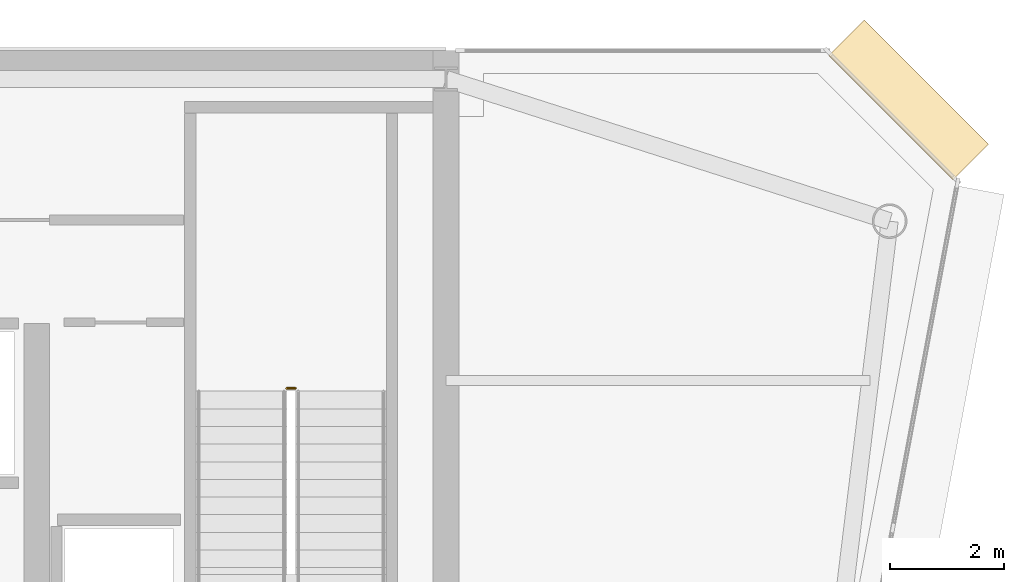
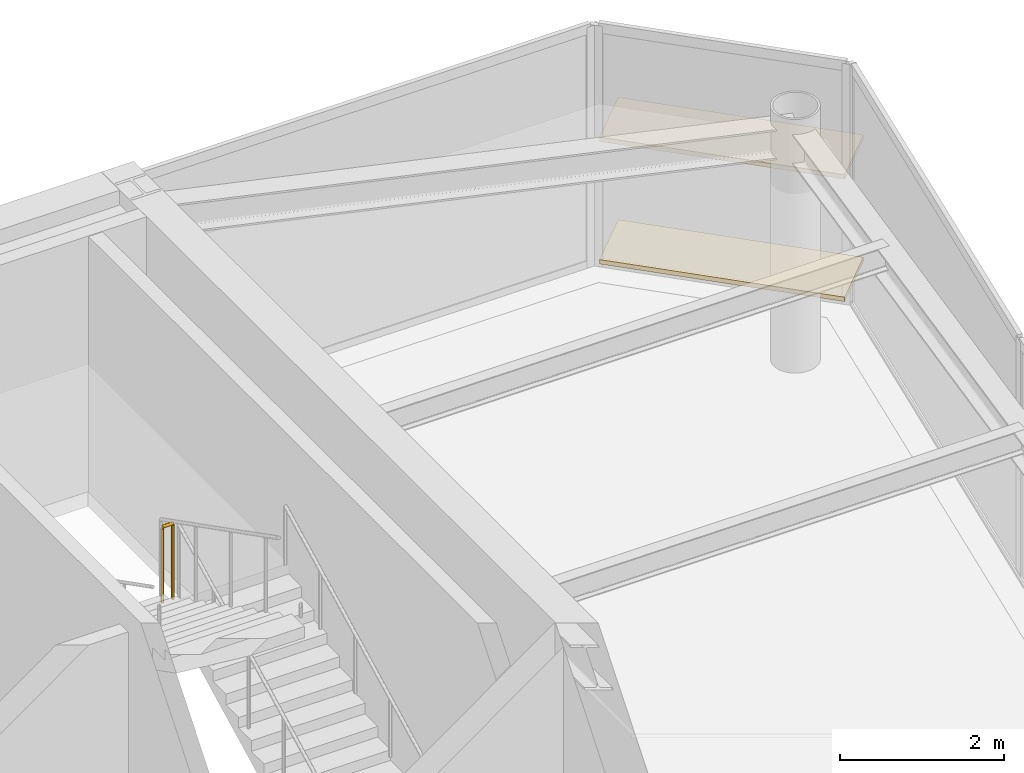
# One storey, part 20 of 20: 2 coverings, 1 railing.
"""IFC4 building model written with IfcOpenShell, lengths in metres."""

from ifc_helpers import new_model, si_unit, direction, frame, origin, origin_2d, place, context, subcontext, project, spatial, rectangle, circle, extrude, source, transform, mapped, material, layer, layer_set, type_object, element, save


model = new_model("IFC4")

# Units and contexts
model_context = context("Model", 3, precision=1e-05, world=origin(), true_north=direction((0.0, 1.0)))
body_context = subcontext(model_context, "Body", "Model", "MODEL_VIEW")
ifc_project = project(units=[si_unit("LENGTHUNIT", "METRE"), si_unit("AREAUNIT", "SQUARE_METRE"), si_unit("VOLUMEUNIT", "CUBIC_METRE"), si_unit("PLANEANGLEUNIT", "RADIAN"), si_unit("MASSUNIT", "GRAM", prefix="KILO")], contexts=[model_context])

# Site, building, storey
site_placement = place(None, origin())
site = spatial("IfcSite", under=ifc_project, at=site_placement, CompositionType="ELEMENT")
building_placement = place(site_placement, origin())
building = spatial("IfcBuilding", under=site, at=building_placement, Name="Vaeldorn Concourse Tower", CompositionType="ELEMENT")
storey_placement = place(building_placement, frame((0.0, 0.0, 295.39990234375)))
storey = spatial("IfcBuildingStorey", under=building, at=storey_placement, Name="L76", CompositionType="ELEMENT", Elevation=295.39990234375)

# Railing
ifc_material = material(Name="Anodised Bronze Aluminium", Category="aluminium")
railing_type = type_object("IfcRailingType", Name="RL-STAIR-GUARD", PredefinedType="GUARDRAIL", material=ifc_material)
railing_placement = place(storey_placement, frame((51.35009765625, 45.06005859375, 1.900146484375)))
element("IfcRailing", 1, at=railing_placement, inside=storey, type_object=railing_type, Name="L76 ST-2 stair guard 2", PredefinedType="GUARDRAIL", context=body_context, shape_type="SweptSolid", body=[
    extrude(circle(Radius=0.02392578125, at=origin_2d()), frame((0.0, 0.0, 1.1259765625), z_axis=(-1.0, 0.0, 0.0), x_axis=(0.0, -1.0, 0.0)), (0.0, 0.0, 1.0), 0.150146484375),
    extrude(circle(Radius=0.02099609375, at=origin_2d()), origin(), (0.0, 0.0, 1.0), 1.101806640625),
    extrude(circle(Radius=0.02099609375, at=origin_2d()), frame((-0.150146484375, 0.0, 0.0)), (0.0, 0.0, 1.0), 1.101806640625),
])

# Coverings
ifc_layer = layer(ifc_material, 0.06494140625)
ifc_layer_set = layer_set([ifc_layer], Name="Anodised Bronze Aluminium")
covering_type = type_object("IfcCoveringType", Name="SD-BRONZE-SUNSHADE", PredefinedType="USERDEFINED", material=ifc_layer_set)
shared_shape = source(origin(), body_context, "Body", "SweptSolid", [
    extrude(rectangle(XDim=3.0927734375, YDim=0.8798828125, at=origin_2d()), origin(), (0.0, 0.0, 1.0), 0.06494140625),
])
for number, where, z_axis, x_axis, name in (
    (2, (62.1328125, 50.1328125, 0.047607421875), (0.0, 0.0, 1.0), (-0.707106781187, 0.707106781187, 0.0), "Horizontal Bronze Sunshade L76-E08.1.1"),
    (3, (62.1328125, 50.1328125, 1.86767578125), (0.0, 0.0, 1.0), (-0.707106781187, 0.707106781187, 0.0), "Horizontal Bronze Sunshade L76-E08.1.2"),
):
    element("IfcCovering", number, at=place(storey_placement, frame(where, z_axis=z_axis, x_axis=x_axis)), inside=storey, type_object=covering_type, Name=name, ObjectType="SUNSHADE", PredefinedType="USERDEFINED", context=body_context, shape_type="MappedRepresentation", body=[
        mapped(shared_shape, transform((0.0, 0.0, 0.0), scale=1.0)),
    ])

save(model, "model.ifc")
